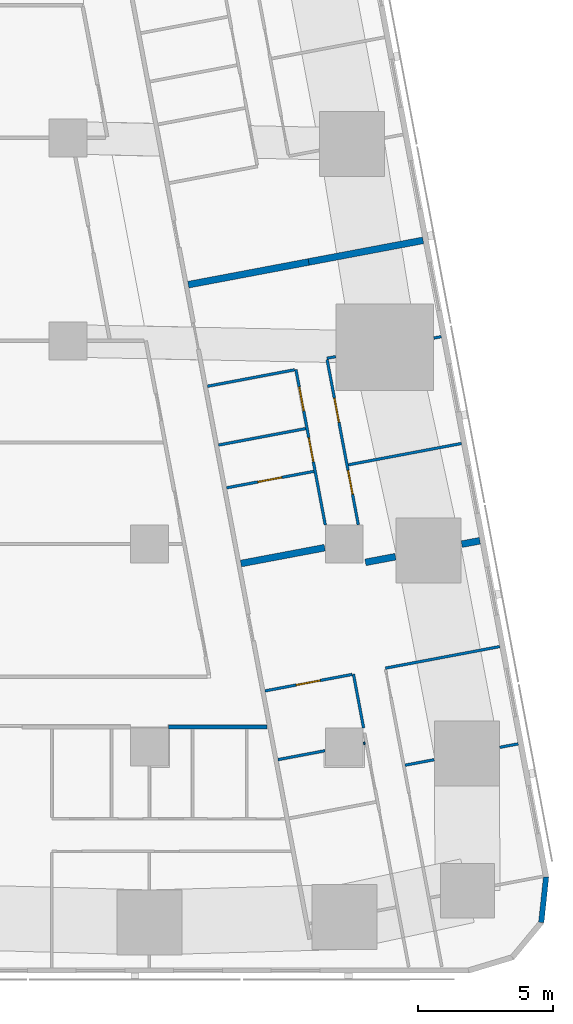
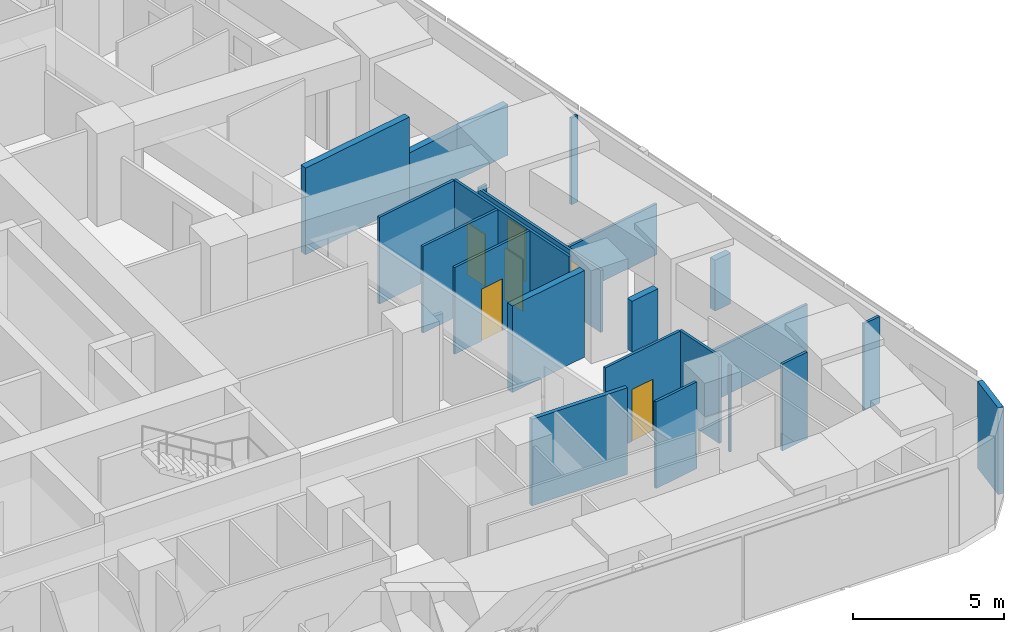
# One storey, part 14 of 19: 22 walls, 6 doors, 6 openings.
"""IFC4 building model written with IfcOpenShell, lengths in metres."""

from ifc_helpers import new_model, si_unit, direction, frame, frame_2d, origin, place, context, subcontext, project, spatial, rectangle, extrude, material, layer, layer_set, type_object, element, fill, save


model = new_model("IFC4")

# Units and contexts
model_context = context("Model", 3, precision=1e-05, world=origin(), true_north=direction((0.0, 1.0)))
body_context = subcontext(model_context, "Body", "Model", "MODEL_VIEW")
ifc_project = project(units=[si_unit("LENGTHUNIT", "METRE"), si_unit("AREAUNIT", "SQUARE_METRE"), si_unit("VOLUMEUNIT", "CUBIC_METRE"), si_unit("PLANEANGLEUNIT", "RADIAN"), si_unit("MASSUNIT", "GRAM", prefix="KILO")], contexts=[model_context])

# Site, building, storey
site_placement = place(None, origin())
site = spatial("IfcSite", under=ifc_project, at=site_placement, CompositionType="ELEMENT")
building_placement = place(site_placement, origin())
building = spatial("IfcBuilding", under=site, at=building_placement, Name="Sheger Commons Tower", CompositionType="ELEMENT")
storey_placement = place(building_placement, frame((0.0, 0.0, 197.449951171875)))
storey = spatial("IfcBuildingStorey", under=building, at=storey_placement, Name="L50", CompositionType="ELEMENT", Elevation=197.449951171875)

# Walls
ifc_material_1 = material(Name="Hollow concrete block masonry, skimmed both sides", Category="masonry")
ifc_layer_1 = layer(ifc_material_1, 0.14990234375)
ifc_layer_set_1 = layer_set([ifc_layer_1], Name="CORRIDOR WALL 150")
wall_type_1 = type_object("IfcWallType", Name="CORRIDOR WALL 150", PredefinedType="SOLIDWALL", material=ifc_layer_set_1)
wall_1_placement = place(storey_placement, frame((40.35498046875, 8.25, 0.0), z_axis=(0.0, 0.0, 1.0), x_axis=(-1.0, 0.0, 0.0)))
element("IfcWall", 1, at=wall_1_placement, inside=storey, type_object=wall_type_1, Name="Corridor wall L50", PredefinedType="SOLIDWALL", context=body_context, shape_type="SweptSolid", body=[
    extrude(rectangle(XDim=3.654052734375, YDim=0.14990234375, at=frame_2d((1.8271484375, 0.0))), origin(), (0.0, 0.0, 1.0), 3.5),
])
ifc_material_2 = material(Name="Dense concrete block masonry, plastered both sides (separating wall between flats)", Category="masonry")
ifc_layer_2 = layer(ifc_material_2, 0.25)
ifc_layer_set_2 = layer_set([ifc_layer_2], Name="DEMISING WALL 250")
wall_type_2 = type_object("IfcWallType", Name="DEMISING WALL 250", PredefinedType="SOLIDWALL", material=ifc_layer_set_2)
wall_2_placement = place(storey_placement, frame((46.110107421875, 26.212890625, 0.0), z_axis=(0.0, 0.0, 1.0), x_axis=(-0.982633535512, -0.185556823879, 0.0)))
element("IfcWall", 2, at=wall_2_placement, inside=storey, type_object=wall_type_2, Name="Demising wall L50", PredefinedType="SOLIDWALL", context=body_context, shape_type="SweptSolid", body=[
    extrude(rectangle(XDim=4.2998046875, YDim=0.25, at=frame_2d((2.14990234375, 0.0))), origin(), (0.0, 0.0, 1.0), 2.050048828125),
])
wall_3_placement = place(storey_placement, frame((41.885009765625, 25.4150390625, 0.0), z_axis=(0.0, 0.0, 1.0), x_axis=(-0.982612837616, -0.185666398014, 0.0)))
element("IfcWall", 3, at=wall_3_placement, inside=storey, type_object=wall_type_2, Name="Demising wall L50", PredefinedType="SOLIDWALL", context=body_context, shape_type="SweptSolid", body=[
    extrude(rectangle(XDim=4.524658203125, YDim=0.25, at=frame_2d((2.26220703125, 0.0))), origin(), (0.0, 0.0, 1.0), 3.5),
])
wall_4_placement = place(storey_placement, frame((48.2060546875, 15.1201171875, 0.0), z_axis=(0.0, 0.0, 1.0), x_axis=(-0.982610999048, -0.18567612811, 0.0)))
element("IfcWall", 4, at=wall_4_placement, inside=storey, type_object=wall_type_2, Name="Demising wall L50", PredefinedType="SOLIDWALL", context=body_context, shape_type="SweptSolid", body=[
    extrude(rectangle(XDim=0.6796875, YDim=0.25, at=frame_2d((0.33984375, 0.0))), origin(), (0.0, 0.0, 1.0), 2.050048828125),
])
wall_5_placement = place(storey_placement, frame((45.090087890625, 14.531005859375, 0.0), z_axis=(0.0, 0.0, 1.0), x_axis=(-0.982737354171, -0.185006196431, 0.0)))
element("IfcWall", 5, at=wall_5_placement, inside=storey, type_object=wall_type_2, Name="Demising wall L50", PredefinedType="SOLIDWALL", context=body_context, shape_type="SweptSolid", body=[
    extrude(rectangle(XDim=1.129638671875, YDim=0.25, at=frame_2d((0.56494140625, 0.0))), origin(), (0.0, 0.0, 1.0), 2.050048828125),
])
wall_6_placement = place(storey_placement, frame((42.47607421875, 14.863037109375, 0.0), z_axis=(0.0, 0.0, 1.0), x_axis=(-0.982638716117, -0.185529387398, 0.0)))
element("IfcWall", 6, at=wall_6_placement, inside=storey, type_object=wall_type_2, Name="Demising wall L50", PredefinedType="SOLIDWALL", context=body_context, shape_type="SweptSolid", body=[
    extrude(rectangle(XDim=3.147705078125, YDim=0.25, at=frame_2d((1.57373046875, 0.0))), origin(), (0.0, 0.0, 1.0), 3.5),
])
ifc_material_3 = material(Name="Rendered concrete block masonry, dark grey", Category="masonry")
ifc_layer_3 = layer(ifc_material_3, 0.199951171875)
ifc_layer_set_3 = layer_set([ifc_layer_3], Name="FACADE WALL 200")
wall_type_3 = type_object("IfcWallType", Name="FACADE WALL 200", PredefinedType="SOLIDWALL", material=ifc_layer_set_3)
wall_7_placement = place(storey_placement, frame((50.47412109375, 1.02490234375, 0.0), z_axis=(0.0, 0.0, 1.0), x_axis=(0.106047815515, 0.994361031429, 0.0)))
element("IfcWall", 7, at=wall_7_placement, inside=storey, type_object=wall_type_3, Name="Facade wall L50", PredefinedType="SOLIDWALL", context=body_context, shape_type="SweptSolid", body=[
    extrude(rectangle(XDim=1.6875, YDim=0.199951171875, at=frame_2d((0.84375, 0.0))), origin(), (0.0, 0.0, 1.0), 3.5),
])

# Wall, openings, doors
ifc_material_4 = material(Name="Gypsum board on steel studs", Category="steel")
ifc_layer_4 = layer(ifc_material_4, 0.10009765625)
ifc_layer_set_4 = layer_set([ifc_layer_4], Name="PARTITION 100")
wall_type_4 = type_object("IfcWallType", Name="PARTITION 100", PredefinedType="PARTITIONING", material=ifc_layer_set_4)
wall_8_placement = place(storey_placement, frame((42.56591796875, 21.80908203125, 0.0), z_axis=(0.0, 0.0, 1.0), x_axis=(0.185613526435, -0.98262282632, 0.0)))
wall_8 = element("IfcWall", 8, at=wall_8_placement, inside=storey, type_object=wall_type_4, Name="Partition L50", PredefinedType="PARTITIONING", context=body_context, shape_type="SweptSolid", body=[
    extrude(rectangle(XDim=6.20703125, YDim=0.10009765625, at=frame_2d((3.103515625, 0.0))), origin(), (0.0, 0.0, 1.0), 2.5),
])
opening_1_placement = place(wall_8_placement, frame((1.449951171875, 0.0, 0.0)))
opening_1 = element("IfcOpeningElement", 9, at=opening_1_placement, cuts=wall_8, Name="Opening D2", PredefinedType="OPENING", context=body_context, shape_type="SweptSolid", body=[
    extrude(rectangle(XDim=0.89990234375, YDim=2.10009765625, at=frame_2d((0.449951171875, 1.050048828125))), frame((0.0, 0.06005859375, 0.0), z_axis=(0.0, -1.0, 0.0), x_axis=(1.0, 0.0, 0.0)), (0.0, 0.0, 1.0), 0.1201171875),
])
opening_2_placement = place(wall_8_placement, frame((4.1630859375, 0.0, 0.0)))
opening_2 = element("IfcOpeningElement", 10, at=opening_2_placement, cuts=wall_8, Name="Opening D2", PredefinedType="OPENING", context=body_context, shape_type="SweptSolid", body=[
    extrude(rectangle(XDim=0.89990234375, YDim=2.10009765625, at=frame_2d((0.449951171875, 1.050048828125))), frame((0.0, 0.06005859375, 0.0), z_axis=(0.0, -1.0, 0.0), x_axis=(1.0, 0.0, 0.0)), (0.0, 0.0, 1.0), 0.1201171875),
])
ifc_material_5 = material(Name="Timber door set", Category="wood")
door_type = type_object("IfcDoorType", Name="INTERNAL DOOR 900x2100", OperationType="NOTDEFINED", PredefinedType="DOOR", material=ifc_material_5)
door_1_placement = place(opening_1_placement, origin())
door_1 = element("IfcDoor", 11, at=door_1_placement, inside=storey, type_object=door_type, Name="Main bedroom door", OperationType="SINGLE_SWING_LEFT", OverallHeight=2.10009765625, OverallWidth=0.89990234375, PredefinedType="DOOR", context=body_context, shape_type="SweptSolid", body=[
    extrude(rectangle(XDim=0.89990234375, YDim=2.10009765625, at=frame_2d((0.449951171875, 1.050048828125))), frame((0.0, 0.02490234375, 0.0), z_axis=(0.0, -1.0, 0.0), x_axis=(1.0, 0.0, 0.0)), (0.0, 0.0, 1.0), 0.050048828125),
])
fill(opening_1, door_1)
door_2_placement = place(opening_2_placement, origin())
door_2 = element("IfcDoor", 12, at=door_2_placement, inside=storey, type_object=door_type, Name="Bedroom 2 door", OperationType="SINGLE_SWING_LEFT", OverallHeight=2.10009765625, OverallWidth=0.89990234375, PredefinedType="DOOR", context=body_context, shape_type="SweptSolid", body=[
    extrude(rectangle(XDim=0.89990234375, YDim=2.10009765625, at=frame_2d((0.449951171875, 1.050048828125))), frame((0.0, 0.02490234375, 0.0), z_axis=(0.0, -1.0, 0.0), x_axis=(1.0, 0.0, 0.0)), (0.0, 0.0, 1.0), 0.050048828125),
])
fill(opening_2, door_2)

wall_9_placement = place(storey_placement, frame((41.4140625, 21.44189453125, 0.0), z_axis=(0.0, 0.0, 1.0), x_axis=(0.185698675093, -0.982606738257, 0.0)))
wall_9 = element("IfcWall", 13, at=wall_9_placement, inside=storey, type_object=wall_type_4, Name="Partition L50", PredefinedType="PARTITIONING", context=body_context, shape_type="SweptSolid", body=[
    extrude(rectangle(XDim=5.842529296875, YDim=0.10009765625, at=frame_2d((2.92138671875, 0.0))), origin(), (0.0, 0.0, 1.0), 3.5),
])
opening_3_placement = place(wall_9_placement, frame((0.655029296875, 0.0, 0.0)))
opening_3 = element("IfcOpeningElement", 14, at=opening_3_placement, cuts=wall_9, Name="Opening D2", PredefinedType="OPENING", context=body_context, shape_type="SweptSolid", body=[
    extrude(rectangle(XDim=0.89990234375, YDim=2.10009765625, at=frame_2d((0.449951171875, 1.050048828125))), frame((0.0, 0.06005859375, 0.0), z_axis=(0.0, -1.0, 0.0), x_axis=(1.0, 0.0, 0.0)), (0.0, 0.0, 1.0), 0.1201171875),
])
opening_4_placement = place(wall_9_placement, frame((2.56298828125, 0.0, 0.0)))
opening_4 = element("IfcOpeningElement", 15, at=opening_4_placement, cuts=wall_9, Name="Opening D2", PredefinedType="OPENING", context=body_context, shape_type="SweptSolid", body=[
    extrude(rectangle(XDim=0.89990234375, YDim=2.10009765625, at=frame_2d((0.449951171875, 1.050048828125))), frame((0.0, 0.06005859375, 0.0), z_axis=(0.0, -1.0, 0.0), x_axis=(1.0, 0.0, 0.0)), (0.0, 0.0, 1.0), 0.1201171875),
])
door_3_placement = place(opening_3_placement, origin())
door_3 = element("IfcDoor", 16, at=door_3_placement, inside=storey, type_object=door_type, Name="Bathroom door", OperationType="SINGLE_SWING_RIGHT", OverallHeight=2.10009765625, OverallWidth=0.89990234375, PredefinedType="DOOR", context=body_context, shape_type="SweptSolid", body=[
    extrude(rectangle(XDim=0.89990234375, YDim=2.10009765625, at=frame_2d((0.449951171875, 1.050048828125))), frame((0.0, 0.02490234375, 0.0), z_axis=(0.0, -1.0, 0.0), x_axis=(1.0, 0.0, 0.0)), (0.0, 0.0, 1.0), 0.050048828125),
])
fill(opening_3, door_3)
door_4_placement = place(opening_4_placement, origin())
door_4 = element("IfcDoor", 17, at=door_4_placement, inside=storey, type_object=door_type, Name="Store door", OperationType="SINGLE_SWING_RIGHT", OverallHeight=2.10009765625, OverallWidth=0.89990234375, PredefinedType="DOOR", context=body_context, shape_type="SweptSolid", body=[
    extrude(rectangle(XDim=0.89990234375, YDim=2.10009765625, at=frame_2d((0.449951171875, 1.050048828125))), frame((0.0, 0.02490234375, 0.0), z_axis=(0.0, -1.0, 0.0), x_axis=(1.0, 0.0, 0.0)), (0.0, 0.0, 1.0), 0.050048828125),
])
fill(opening_4, door_4)

# Walls
wall_10_placement = place(storey_placement, frame((46.781982421875, 22.656982421875, 0.0), z_axis=(0.0, 0.0, 1.0), x_axis=(-0.982574553168, -0.185868898601, 0.0)))
element("IfcWall", 18, at=wall_10_placement, inside=storey, type_object=wall_type_4, Name="Partition L50", PredefinedType="PARTITIONING", context=body_context, shape_type="SweptSolid", body=[
    extrude(rectangle(XDim=0.27978515625, YDim=0.10009765625, at=frame_2d((0.139892578125, 0.0))), origin(), (0.0, 0.0, 1.0), 3.5),
])
wall_11_placement = place(storey_placement, frame((42.886962890625, 21.9208984375, 0.0), z_axis=(0.0, 0.0, 1.0), x_axis=(-0.982274918032, -0.187445953293, 0.0)))
element("IfcWall", 19, at=wall_11_placement, inside=storey, type_object=wall_type_4, Name="Partition L50", PredefinedType="PARTITIONING", context=body_context, shape_type="SweptSolid", body=[
    extrude(rectangle(XDim=0.3359375, YDim=0.10009765625, at=frame_2d((0.16796875, 0.0))), origin(), (0.0, 0.0, 1.0), 2.5),
])
wall_12_placement = place(storey_placement, frame((47.527099609375, 18.7119140625, 0.0), z_axis=(0.0, 0.0, 1.0), x_axis=(-0.982665405803, -0.185387972203, 0.0)))
element("IfcWall", 20, at=wall_12_placement, inside=storey, type_object=wall_type_4, Name="Partition L50", PredefinedType="PARTITIONING", context=body_context, shape_type="SweptSolid", body=[
    extrude(rectangle(XDim=4.249755859375, YDim=0.10009765625, at=frame_2d((2.125, 0.0))), origin(), (0.0, 0.0, 1.0), 2.050048828125),
])
wall_13_placement = place(storey_placement, frame((41.364990234375, 21.43310546875, 0.0), z_axis=(0.0, 0.0, 1.0), x_axis=(-0.982607026909, -0.185697147715, 0.0)))
element("IfcWall", 21, at=wall_13_placement, inside=storey, type_object=wall_type_4, Name="Partition L50", PredefinedType="PARTITIONING", context=body_context, shape_type="SweptSolid", body=[
    extrude(rectangle(XDim=3.27490234375, YDim=0.10009765625, at=frame_2d((1.637451171875, 0.0))), origin(), (0.0, 0.0, 1.0), 3.5),
])

# Wall, opening, door
wall_14_placement = place(storey_placement, frame((42.072998046875, 17.681884765625, 0.0), z_axis=(0.0, 0.0, 1.0), x_axis=(-0.982620626894, -0.185625169636, 0.0)))
wall_14 = element("IfcWall", 22, at=wall_14_placement, inside=storey, type_object=wall_type_4, Name="Partition L50", PredefinedType="PARTITIONING", context=body_context, shape_type="SweptSolid", body=[
    extrude(rectangle(XDim=3.27490234375, YDim=0.10009765625, at=frame_2d((1.637451171875, 0.0))), origin(), (0.0, 0.0, 1.0), 3.5),
])
opening_5_placement = place(wall_14_placement, frame((1.199951171875, 0.0, 0.0)))
opening_5 = element("IfcOpeningElement", 23, at=opening_5_placement, cuts=wall_14, Name="Opening D2", PredefinedType="OPENING", context=body_context, shape_type="SweptSolid", body=[
    extrude(rectangle(XDim=0.89990234375, YDim=2.10009765625, at=frame_2d((0.449951171875, 1.050048828125))), frame((0.0, 0.06005859375, 0.0), z_axis=(0.0, -1.0, 0.0), x_axis=(1.0, 0.0, 0.0)), (0.0, 0.0, 1.0), 0.1201171875),
])
door_5_placement = place(opening_5_placement, origin())
door_5 = element("IfcDoor", 24, at=door_5_placement, inside=storey, type_object=door_type, Name="Store door", OperationType="SINGLE_SWING_RIGHT", OverallHeight=2.10009765625, OverallWidth=0.89990234375, PredefinedType="DOOR", context=body_context, shape_type="SweptSolid", body=[
    extrude(rectangle(XDim=0.89990234375, YDim=2.10009765625, at=frame_2d((0.449951171875, 1.050048828125))), frame((0.0, 0.02490234375, 0.0), z_axis=(0.0, -1.0, 0.0), x_axis=(1.0, 0.0, 0.0)), (0.0, 0.0, 1.0), 0.050048828125),
])
fill(opening_5, door_5)

# Walls
wall_15_placement = place(storey_placement, frame((41.77490234375, 19.260986328125, 0.0), z_axis=(0.0, 0.0, 1.0), x_axis=(-0.982620626894, -0.185625169636, 0.0)))
element("IfcWall", 25, at=wall_15_placement, inside=storey, type_object=wall_type_4, Name="Partition L50", PredefinedType="PARTITIONING", context=body_context, shape_type="SweptSolid", body=[
    extrude(rectangle(XDim=3.27490234375, YDim=0.10009765625, at=frame_2d((1.637451171875, 0.0))), origin(), (0.0, 0.0, 1.0), 3.5),
])
wall_16_placement = place(storey_placement, frame((43.5390625, 10.19189453125, 0.0), z_axis=(0.0, 0.0, 1.0), x_axis=(0.185443145218, -0.982654995353, 0.0)))
element("IfcWall", 26, at=wall_16_placement, inside=storey, type_object=wall_type_4, Name="Partition L50", PredefinedType="PARTITIONING", context=body_context, shape_type="SweptSolid", body=[
    extrude(rectangle(XDim=2.016845703125, YDim=0.10009765625, at=frame_2d((1.00830078125, 0.0))), origin(), (0.0, 0.0, 1.0), 3.5),
])
wall_17_placement = place(storey_placement, frame((48.943115234375, 11.212890625, 0.0), z_axis=(0.0, 0.0, 1.0), x_axis=(-0.982633535512, -0.185556823879, 0.0)))
element("IfcWall", 27, at=wall_17_placement, inside=storey, type_object=wall_type_4, Name="Partition L50", PredefinedType="PARTITIONING", context=body_context, shape_type="SweptSolid", body=[
    extrude(rectangle(XDim=4.2998046875, YDim=0.10009765625, at=frame_2d((2.14990234375, 0.0))), origin(), (0.0, 0.0, 1.0), 2.050048828125),
])
wall_18_placement = place(storey_placement, frame((49.6220703125, 7.6201171875, 0.0), z_axis=(0.0, 0.0, 1.0), x_axis=(-0.98254419619, -0.186029305578, 0.0)))
element("IfcWall", 28, at=wall_18_placement, inside=storey, type_object=wall_type_4, Name="Partition L50", PredefinedType="PARTITIONING", context=body_context, shape_type="SweptSolid", body=[
    extrude(rectangle(XDim=0.6943359375, YDim=0.10009765625, at=frame_2d((0.34716796875, 0.0))), origin(), (0.0, 0.0, 1.0), 3.5),
])
wall_19_placement = place(storey_placement, frame((46.52001953125, 7.034912109375, 0.0), z_axis=(0.0, 0.0, 1.0), x_axis=(-0.982620932907, -0.185623549726, 0.0)))
element("IfcWall", 29, at=wall_19_placement, inside=storey, type_object=wall_type_4, Name="Partition L50", PredefinedType="PARTITIONING", context=body_context, shape_type="SweptSolid", body=[
    extrude(rectangle(XDim=1.093017578125, YDim=0.10009765625, at=frame_2d((0.54638671875, 0.0))), origin(), (0.0, 0.0, 1.0), 3.5),
])

# Wall, opening, door
wall_20_placement = place(storey_placement, frame((43.489990234375, 10.18310546875, 0.0), z_axis=(0.0, 0.0, 1.0), x_axis=(-0.982607026909, -0.185697147715, 0.0)))
wall_20 = element("IfcWall", 30, at=wall_20_placement, inside=storey, type_object=wall_type_4, Name="Partition L50", PredefinedType="PARTITIONING", context=body_context, shape_type="SweptSolid", body=[
    extrude(rectangle(XDim=3.27490234375, YDim=0.10009765625, at=frame_2d((1.637451171875, 0.0))), origin(), (0.0, 0.0, 1.0), 3.5),
])
opening_6_placement = place(wall_20_placement, frame((1.199951171875, 0.0, 0.0)))
opening_6 = element("IfcOpeningElement", 31, at=opening_6_placement, cuts=wall_20, Name="Opening D2", PredefinedType="OPENING", context=body_context, shape_type="SweptSolid", body=[
    extrude(rectangle(XDim=0.89990234375, YDim=2.10009765625, at=frame_2d((0.449951171875, 1.050048828125))), frame((0.0, 0.06005859375, 0.0), z_axis=(0.0, -1.0, 0.0), x_axis=(1.0, 0.0, 0.0)), (0.0, 0.0, 1.0), 0.1201171875),
])
door_6_placement = place(opening_6_placement, origin())
door_6 = element("IfcDoor", 32, at=door_6_placement, inside=storey, type_object=door_type, Name="Store door", OperationType="SINGLE_SWING_LEFT", OverallHeight=2.10009765625, OverallWidth=0.89990234375, PredefinedType="DOOR", context=body_context, shape_type="SweptSolid", body=[
    extrude(rectangle(XDim=0.89990234375, YDim=2.10009765625, at=frame_2d((0.449951171875, 1.050048828125))), frame((0.0, 0.02490234375, 0.0), z_axis=(0.0, -1.0, 0.0), x_axis=(1.0, 0.0, 0.0)), (0.0, 0.0, 1.0), 0.050048828125),
])
fill(opening_6, door_6)

# Walls
wall_21_placement = place(storey_placement, frame((43.968994140625, 7.64599609375, 0.0), z_axis=(0.0, 0.0, 1.0), x_axis=(-0.983147034646, -0.182816597351, 0.0)))
element("IfcWall", 33, at=wall_21_placement, inside=storey, type_object=wall_type_4, Name="Partition L50", PredefinedType="PARTITIONING", context=body_context, shape_type="SweptSolid", body=[
    extrude(rectangle(XDim=0.06005859375, YDim=0.10009765625, at=frame_2d((0.030029296875, 0.0))), origin(), (0.0, 0.0, 1.0), 3.5),
])
wall_22_placement = place(storey_placement, frame((42.489990234375, 7.366943359375, 0.0), z_axis=(0.0, 0.0, 1.0), x_axis=(-0.982585223885, -0.185812480215, 0.0)))
element("IfcWall", 34, at=wall_22_placement, inside=storey, type_object=wall_type_4, Name="Partition L50", PredefinedType="PARTITIONING", context=body_context, shape_type="SweptSolid", body=[
    extrude(rectangle(XDim=1.769775390625, YDim=0.10009765625, at=frame_2d((0.884765625, 0.0))), origin(), (0.0, 0.0, 1.0), 3.5),
])

save(model, "model.ifc")
